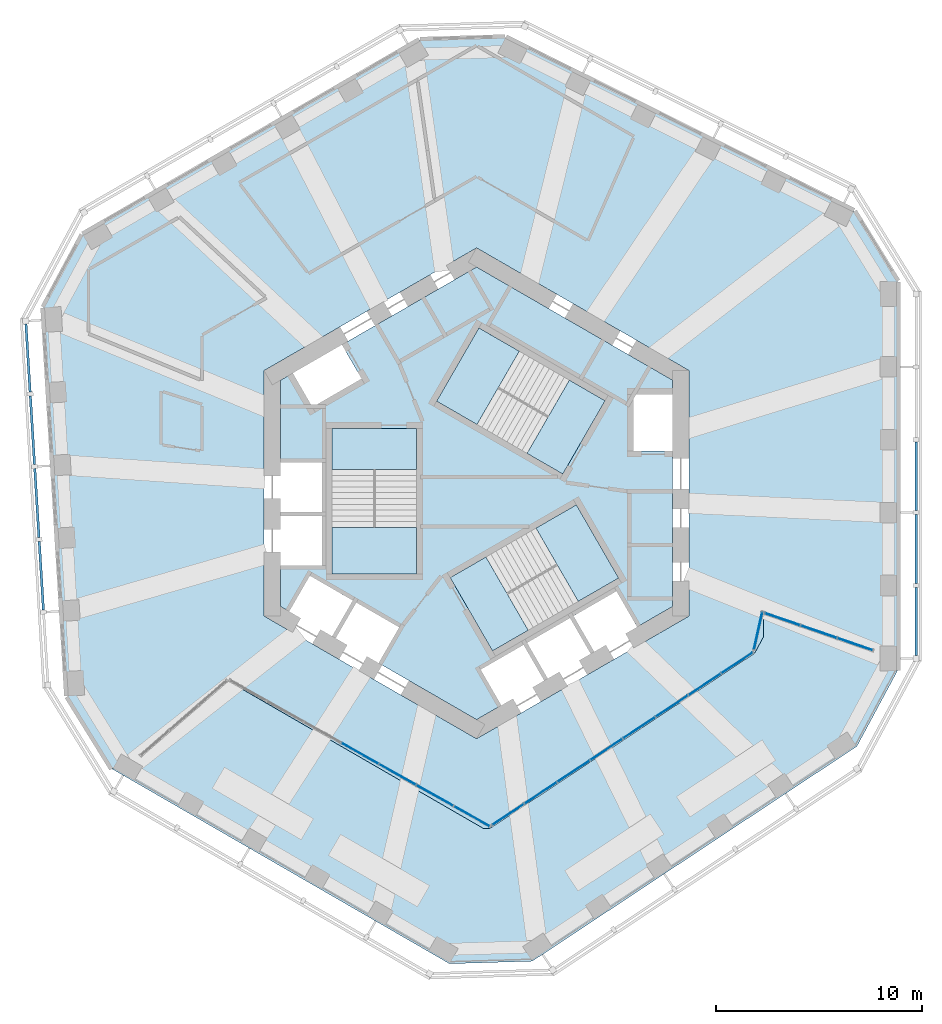
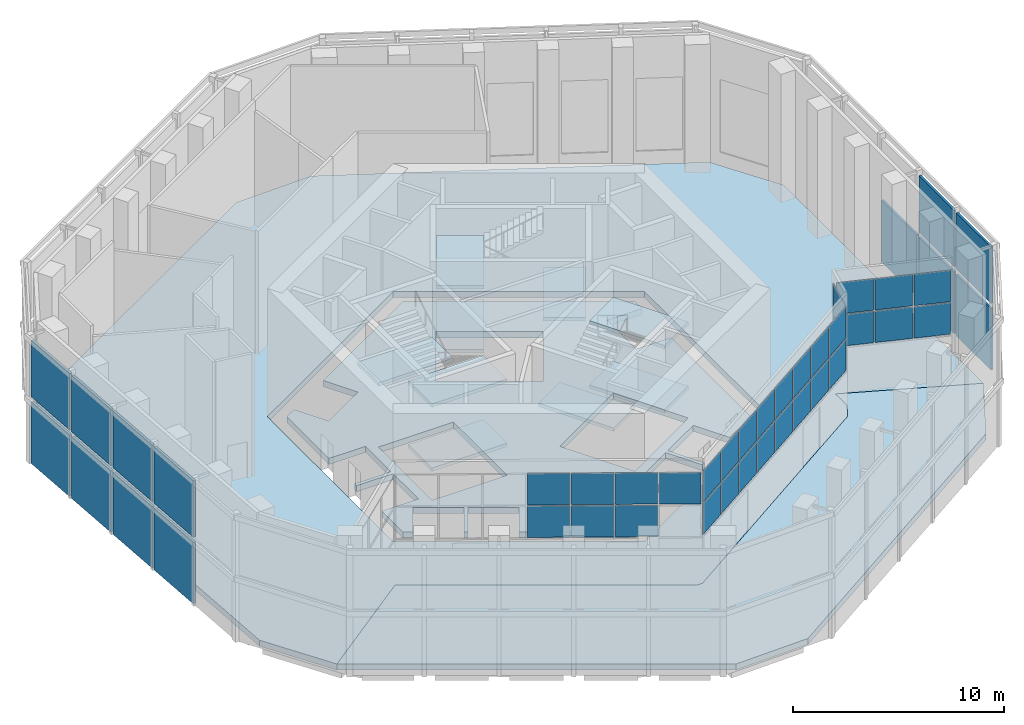
# One storey, part 7 of 17: 44 plates, 12 slabs, 9 elements without a shape of their own.
"""IFC4 building model written with IfcOpenShell, lengths in metres."""

from ifc_helpers import new_model, si_unit, direction, frame, origin, origin_2d, place, context, subcontext, project, spatial, polyline, rectangle, outline, extrude, material, layer, layer_set, type_object, element, aggregate, save


model = new_model("IFC4")

# Units and contexts
model_context = context("Model", 3, precision=1e-05, world=origin(), true_north=direction((0.0, 1.0)))
body_context = subcontext(model_context, "Body", "Model", "MODEL_VIEW")
ifc_project = project(units=[si_unit("LENGTHUNIT", "METRE"), si_unit("AREAUNIT", "SQUARE_METRE"), si_unit("VOLUMEUNIT", "CUBIC_METRE"), si_unit("PLANEANGLEUNIT", "RADIAN"), si_unit("MASSUNIT", "GRAM", prefix="KILO")], contexts=[model_context])

# Site, building, storey
site_placement = place(None, origin())
site = spatial("IfcSite", under=ifc_project, at=site_placement, CompositionType="ELEMENT")
building_placement = place(site_placement, origin())
building = spatial("IfcBuilding", under=site, at=building_placement, Name="Vanh Sen Convention Tower", CompositionType="ELEMENT")
storey_placement = place(building_placement, frame((0.0, 0.0, 214.300048828125)))
storey = spatial("IfcBuildingStorey", under=building, at=storey_placement, Name="L53", CompositionType="ELEMENT", Elevation=214.300048828125)

# Slabs
ifc_material_1 = material(Name="Concrete C40/50", Category="concrete")
ifc_layer_1 = layer(ifc_material_1, 0.35009765625)
ifc_layer_set_1 = layer_set([ifc_layer_1], Name="Concrete C40/50")
slab_type_1 = type_object("IfcSlabType", Name="Core slab 350", PredefinedType="FLOOR", material=ifc_layer_set_1)
slab_1_placement = place(storey_placement, frame((0.0, 0.0, -0.35009765625)))
element("IfcSlab", 1, at=slab_1_placement, inside=storey, type_object=slab_type_1, Name="Core slab L53", PredefinedType="FLOOR", context=body_context, shape_type="SweptSolid", body=[
    extrude(outline(polyline([(0.0, 10.9697265625), (9.5, 5.48486328125), (9.5, 4.800048828125), (7.60009765625, 4.800048828125), (7.60009765625, 2.050048828125), (9.5, 2.050048828125), (9.5, -5.48486328125), (7.781005859375, -6.477294921875), (6.781005859375, -4.7451171875), (4.70263671875, -5.9453125), (5.70263671875, -7.67724609375), (5.529296875, -7.777099609375), (4.529296875, -6.045166015625), (2.450927734375, -7.2451171875), (3.450927734375, -8.977294921875), (3.27783203125, -9.0771484375), (2.27783203125, -7.34521484375), (0.19921875, -8.545166015625), (1.19921875, -10.277099609375), (0.0, -10.9697265625), (-4.75, -8.227294921875), (-3.75, -6.4951171875), (-5.82861328125, -5.295166015625), (-6.82861328125, -7.027099609375), (-7.001708984375, -6.92724609375), (-6.001708984375, -5.1953125), (-8.080078125, -3.9951171875), (-9.080078125, -5.727294921875), (-9.5, -5.48486328125), (-9.5, -3.5), (-7.5, -3.5), (-7.5, -1.10009765625), (-9.5, -1.10009765625), (-9.5, -0.89990234375), (-7.5, -0.89990234375), (-7.5, 1.5), (-9.5, 1.5), (-9.5, 5.48486328125), (-8.906982421875, 5.8271484375), (-7.956787109375, 4.181884765625), (-5.575439453125, 5.556884765625), (-6.525390625, 7.2021484375), (0.0, 10.9697265625)]), holes=[polyline([(-7.0, 1.1494140625), (-7.0, -3.909912109375), (-2.89990234375, -3.909912109375), (-2.89990234375, 1.1494140625), (-7.0, 1.1494140625)]), polyline([(2.504638671875, -6.63671875), (6.88623046875, -4.107177734375), (4.836181640625, -0.556396484375), (0.45458984375, -3.086181640625), (2.504638671875, -6.63671875)]), polyline([(0.11376953125, 8.01708984375), (-1.936279296875, 4.466552734375), (2.4453125, 1.936767578125), (4.495361328125, 5.487548828125), (0.11376953125, 8.01708984375)])]), origin(), (0.0, 0.0, 1.0), 0.35009765625),
])
ifc_layer_2 = layer(ifc_material_1, 0.35009765625)
ifc_layer_set_2 = layer_set([ifc_layer_2], Name="Concrete C40/50")
slab_type_2 = type_object("IfcSlabType", Name="Floor slab 350 REI 120", PredefinedType="FLOOR", material=ifc_layer_set_2)
slab_2_placement = place(storey_placement, frame((0.0, 0.0, -0.35009765625)))
element("IfcSlab", 2, at=slab_2_placement, inside=storey, type_object=slab_type_2, Name="Floor slab L53 interior", PredefinedType="FLOOR", context=body_context, shape_type="SweptSolid", body=[
    extrude(outline(polyline([(-17.650146484375, -13.365478515625), (-1.309814453125, -22.799560546875), (-17.650146484375, -13.365478515625), (-12.0263671875, -9.10693359375), (0.339111328125, -16.24609375), (0.6533203125, -16.236572265625), (13.481689453125, -7.74560546875), (13.89990234375, -6.967041015625), (13.89990234375, -5.86181640625), (20.39990234375, -8.602783203125), (20.39990234375, 10.265380859375), (18.289306640625, 13.67626953125), (1.403564453125, 22.09521484375), (-2.749755859375, 21.96826171875), (-19.090087890625, 12.5341796875), (-20.988525390625, 9.000732421875), (-19.8369140625, -9.83203125), (-17.650146484375, -13.365478515625)]), holes=[polyline([(0.0, 11.893310546875), (-10.300048828125, 5.94677734375), (-10.300048828125, -5.94677734375), (0.0, -11.893310546875), (10.300048828125, -5.94677734375), (10.300048828125, 5.94677734375), (0.0, 11.893310546875)])]), origin(), (0.0, 0.0, 1.0), 0.35009765625),
])

# Curtain wall, plates
ifc_material_2 = material(Name="Aluminium structural glazing system", Category="aluminium")
curtain_wall_type_1 = type_object("IfcCurtainWallType", Name="Sky garden structural glazing", PredefinedType="NOTDEFINED", material=ifc_material_2)
curtain_wall_1_placement = place(storey_placement, origin())
curtain_wall_1 = element("IfcCurtainWall", 3, at=curtain_wall_1_placement, inside=storey, type_object=curtain_wall_type_1, Name="Winter garden glazing 1 L53", PredefinedType="NOTDEFINED")
ifc_material_3 = material(Name="Clear toughened safety glass", Category="glass")
ifc_layer_3 = layer(ifc_material_3, 0.035888671875)
ifc_layer_set_3 = layer_set([ifc_layer_3], Name="Clear toughened safety glass")
plate_type_1 = type_object("IfcPlateType", Name="Garden glazing clear glass panel 36", PredefinedType="CURTAIN_PANEL", material=ifc_layer_set_3)
plate_1_placement = place(storey_placement, frame((18.340087890625, -7.31201171875, 2.669921875), z_axis=(0.0, 0.0, 1.0), x_axis=(-0.945473546276, 0.325698899742, 0.0)))
plate_1 = element("IfcPlate", 4, at=plate_1_placement, type_object=plate_type_1, Name="CW5 panel 1.1", PredefinedType="CURTAIN_PANEL", context=body_context, shape_type="SweptSolid", body=[
    extrude(rectangle(XDim=1.76806640625, YDim=0.035888671875, at=origin_2d()), origin(), (0.0, 0.0, 1.0), 1.804931640625),
])
plate_2_placement = place(storey_placement, frame((18.340087890625, -7.31201171875, 4.544921875), z_axis=(0.0, 0.0, 1.0), x_axis=(-0.945473546276, 0.325698899742, 0.0)))
plate_2 = element("IfcPlate", 5, at=plate_2_placement, type_object=plate_type_1, Name="CW5 panel 1.2", PredefinedType="CURTAIN_PANEL", context=body_context, shape_type="SweptSolid", body=[
    extrude(rectangle(XDim=1.76806640625, YDim=0.035888671875, at=origin_2d()), origin(), (0.0, 0.0, 1.0), 1.804931640625),
])
plate_3_placement = place(storey_placement, frame((16.58544921875, -6.707763671875, 2.669921875), z_axis=(0.0, 0.0, 1.0), x_axis=(-0.945473546276, 0.325698899742, 0.0)))
plate_3 = element("IfcPlate", 6, at=plate_3_placement, type_object=plate_type_1, Name="CW5 panel 2.1", PredefinedType="CURTAIN_PANEL", context=body_context, shape_type="SweptSolid", body=[
    extrude(rectangle(XDim=1.802978515625, YDim=0.035888671875, at=origin_2d()), origin(), (0.0, 0.0, 1.0), 1.804931640625),
])
plate_4_placement = place(storey_placement, frame((16.58544921875, -6.707763671875, 4.544921875), z_axis=(0.0, 0.0, 1.0), x_axis=(-0.945473546276, 0.325698899742, 0.0)))
plate_4 = element("IfcPlate", 7, at=plate_4_placement, type_object=plate_type_1, Name="CW5 panel 2.2", PredefinedType="CURTAIN_PANEL", context=body_context, shape_type="SweptSolid", body=[
    extrude(rectangle(XDim=1.802978515625, YDim=0.035888671875, at=origin_2d()), origin(), (0.0, 0.0, 1.0), 1.804931640625),
])
plate_5_placement = place(storey_placement, frame((14.8310546875, -6.103271484375, 2.669921875), z_axis=(0.0, 0.0, 1.0), x_axis=(-0.945473546276, 0.325698899742, 0.0)))
plate_5 = element("IfcPlate", 8, at=plate_5_placement, type_object=plate_type_1, Name="CW5 panel 3.1", PredefinedType="CURTAIN_PANEL", context=body_context, shape_type="SweptSolid", body=[
    extrude(rectangle(XDim=1.76806640625, YDim=0.035888671875, at=origin_2d()), origin(), (0.0, 0.0, 1.0), 1.804931640625),
])
plate_6_placement = place(storey_placement, frame((14.8310546875, -6.103271484375, 4.544921875), z_axis=(0.0, 0.0, 1.0), x_axis=(-0.945473546276, 0.325698899742, 0.0)))
plate_6 = element("IfcPlate", 9, at=plate_6_placement, type_object=plate_type_1, Name="CW5 panel 3.2", PredefinedType="CURTAIN_PANEL", context=body_context, shape_type="SweptSolid", body=[
    extrude(rectangle(XDim=1.76806640625, YDim=0.035888671875, at=origin_2d()), origin(), (0.0, 0.0, 1.0), 1.804931640625),
])
aggregate(curtain_wall_1, [plate_1, plate_2, plate_3, plate_4, plate_5, plate_6])

curtain_wall_2_placement = place(storey_placement, origin())
curtain_wall_2 = element("IfcCurtainWall", 10, at=curtain_wall_2_placement, inside=storey, type_object=curtain_wall_type_1, Name="Winter garden glazing 2 L53", PredefinedType="NOTDEFINED")
plate_7_placement = place(storey_placement, frame((13.645263671875, -6.662841796875, 2.669921875), z_axis=(0.0, 0.0, 1.0), x_axis=(-0.216774971138, -0.976221599786, 0.0)))
plate_7 = element("IfcPlate", 11, at=plate_7_placement, type_object=plate_type_1, Name="CW5 panel 1.1", PredefinedType="CURTAIN_PANEL", context=body_context, shape_type="SweptSolid", body=[
    extrude(rectangle(XDim=1.8349609375, YDim=0.035888671875, at=origin_2d()), origin(), (0.0, 0.0, 1.0), 1.804931640625),
])
plate_8_placement = place(storey_placement, frame((13.645263671875, -6.662841796875, 4.544921875), z_axis=(0.0, 0.0, 1.0), x_axis=(-0.216774971138, -0.976221599786, 0.0)))
plate_8 = element("IfcPlate", 12, at=plate_8_placement, type_object=plate_type_1, Name="CW5 panel 1.2", PredefinedType="CURTAIN_PANEL", context=body_context, shape_type="SweptSolid", body=[
    extrude(rectangle(XDim=1.8349609375, YDim=0.035888671875, at=origin_2d()), origin(), (0.0, 0.0, 1.0), 1.804931640625),
])
aggregate(curtain_wall_2, [plate_7, plate_8])

curtain_wall_3_placement = place(storey_placement, origin())
curtain_wall_3 = element("IfcCurtainWall", 13, at=curtain_wall_3_placement, inside=storey, type_object=curtain_wall_type_1, Name="Winter garden glazing 3 L53", PredefinedType="NOTDEFINED")
plate_9_placement = place(storey_placement, frame((12.630859375, -8.218994140625, 2.669921875), z_axis=(0.0, 0.0, 1.0), x_axis=(-0.833888973721, -0.551932223653, 0.0)))
plate_9 = element("IfcPlate", 14, at=plate_9_placement, type_object=plate_type_1, Name="CW5 panel 1.1", PredefinedType="CURTAIN_PANEL", context=body_context, shape_type="SweptSolid", body=[
    extrude(rectangle(XDim=1.801025390625, YDim=0.035888671875, at=origin_2d()), origin(), (0.0, 0.0, 1.0), 1.804931640625),
])
plate_10_placement = place(storey_placement, frame((12.630859375, -8.218994140625, 4.544921875), z_axis=(0.0, 0.0, 1.0), x_axis=(-0.833888973721, -0.551932223653, 0.0)))
plate_10 = element("IfcPlate", 15, at=plate_10_placement, type_object=plate_type_1, Name="CW5 panel 1.2", PredefinedType="CURTAIN_PANEL", context=body_context, shape_type="SweptSolid", body=[
    extrude(rectangle(XDim=1.801025390625, YDim=0.035888671875, at=origin_2d()), origin(), (0.0, 0.0, 1.0), 1.804931640625),
])
plate_11_placement = place(storey_placement, frame((11.05615234375, -9.26123046875, 2.669921875), z_axis=(0.0, 0.0, 1.0), x_axis=(-0.833888973721, -0.551932223653, 0.0)))
plate_11 = element("IfcPlate", 16, at=plate_11_placement, type_object=plate_type_1, Name="CW5 panel 2.1", PredefinedType="CURTAIN_PANEL", context=body_context, shape_type="SweptSolid", body=[
    extrude(rectangle(XDim=1.836181640625, YDim=0.035888671875, at=origin_2d()), origin(), (0.0, 0.0, 1.0), 1.804931640625),
])
plate_12_placement = place(storey_placement, frame((11.05615234375, -9.26123046875, 4.544921875), z_axis=(0.0, 0.0, 1.0), x_axis=(-0.833888973721, -0.551932223653, 0.0)))
plate_12 = element("IfcPlate", 17, at=plate_12_placement, type_object=plate_type_1, Name="CW5 panel 2.2", PredefinedType="CURTAIN_PANEL", context=body_context, shape_type="SweptSolid", body=[
    extrude(rectangle(XDim=1.836181640625, YDim=0.035888671875, at=origin_2d()), origin(), (0.0, 0.0, 1.0), 1.804931640625),
])
plate_13_placement = place(storey_placement, frame((9.466552734375, -10.313232421875, 2.669921875), z_axis=(0.0, 0.0, 1.0), x_axis=(-0.833888973721, -0.551932223653, 0.0)))
plate_13 = element("IfcPlate", 18, at=plate_13_placement, type_object=plate_type_1, Name="CW5 panel 3.1", PredefinedType="CURTAIN_PANEL", context=body_context, shape_type="SweptSolid", body=[
    extrude(rectangle(XDim=1.836181640625, YDim=0.035888671875, at=origin_2d()), origin(), (0.0, 0.0, 1.0), 1.804931640625),
])
plate_14_placement = place(storey_placement, frame((9.466552734375, -10.313232421875, 4.544921875), z_axis=(0.0, 0.0, 1.0), x_axis=(-0.833888973721, -0.551932223653, 0.0)))
plate_14 = element("IfcPlate", 19, at=plate_14_placement, type_object=plate_type_1, Name="CW5 panel 3.2", PredefinedType="CURTAIN_PANEL", context=body_context, shape_type="SweptSolid", body=[
    extrude(rectangle(XDim=1.836181640625, YDim=0.035888671875, at=origin_2d()), origin(), (0.0, 0.0, 1.0), 1.804931640625),
])
plate_15_placement = place(storey_placement, frame((7.877197265625, -11.365234375, 2.669921875), z_axis=(0.0, 0.0, 1.0), x_axis=(-0.833888973721, -0.551932223653, 0.0)))
plate_15 = element("IfcPlate", 20, at=plate_15_placement, type_object=plate_type_1, Name="CW5 panel 4.1", PredefinedType="CURTAIN_PANEL", context=body_context, shape_type="SweptSolid", body=[
    extrude(rectangle(XDim=1.836181640625, YDim=0.035888671875, at=origin_2d()), origin(), (0.0, 0.0, 1.0), 1.804931640625),
])
plate_16_placement = place(storey_placement, frame((7.877197265625, -11.365234375, 4.544921875), z_axis=(0.0, 0.0, 1.0), x_axis=(-0.833888973721, -0.551932223653, 0.0)))
plate_16 = element("IfcPlate", 21, at=plate_16_placement, type_object=plate_type_1, Name="CW5 panel 4.2", PredefinedType="CURTAIN_PANEL", context=body_context, shape_type="SweptSolid", body=[
    extrude(rectangle(XDim=1.836181640625, YDim=0.035888671875, at=origin_2d()), origin(), (0.0, 0.0, 1.0), 1.804931640625),
])
plate_17_placement = place(storey_placement, frame((6.28759765625, -12.41748046875, 2.669921875), z_axis=(0.0, 0.0, 1.0), x_axis=(-0.833888973721, -0.551932223653, 0.0)))
plate_17 = element("IfcPlate", 22, at=plate_17_placement, type_object=plate_type_1, Name="CW5 panel 5.1", PredefinedType="CURTAIN_PANEL", context=body_context, shape_type="SweptSolid", body=[
    extrude(rectangle(XDim=1.836181640625, YDim=0.035888671875, at=origin_2d()), origin(), (0.0, 0.0, 1.0), 1.804931640625),
])
plate_18_placement = place(storey_placement, frame((6.28759765625, -12.41748046875, 4.544921875), z_axis=(0.0, 0.0, 1.0), x_axis=(-0.833888973721, -0.551932223653, 0.0)))
plate_18 = element("IfcPlate", 23, at=plate_18_placement, type_object=plate_type_1, Name="CW5 panel 5.2", PredefinedType="CURTAIN_PANEL", context=body_context, shape_type="SweptSolid", body=[
    extrude(rectangle(XDim=1.836181640625, YDim=0.035888671875, at=origin_2d()), origin(), (0.0, 0.0, 1.0), 1.804931640625),
])
plate_19_placement = place(storey_placement, frame((4.6982421875, -13.469482421875, 2.669921875), z_axis=(0.0, 0.0, 1.0), x_axis=(-0.833888973721, -0.551932223653, 0.0)))
plate_19 = element("IfcPlate", 24, at=plate_19_placement, type_object=plate_type_1, Name="CW5 panel 6.1", PredefinedType="CURTAIN_PANEL", context=body_context, shape_type="SweptSolid", body=[
    extrude(rectangle(XDim=1.836181640625, YDim=0.035888671875, at=origin_2d()), origin(), (0.0, 0.0, 1.0), 1.804931640625),
])
plate_20_placement = place(storey_placement, frame((4.6982421875, -13.469482421875, 4.544921875), z_axis=(0.0, 0.0, 1.0), x_axis=(-0.833888973721, -0.551932223653, 0.0)))
plate_20 = element("IfcPlate", 25, at=plate_20_placement, type_object=plate_type_1, Name="CW5 panel 6.2", PredefinedType="CURTAIN_PANEL", context=body_context, shape_type="SweptSolid", body=[
    extrude(rectangle(XDim=1.836181640625, YDim=0.035888671875, at=origin_2d()), origin(), (0.0, 0.0, 1.0), 1.804931640625),
])
plate_21_placement = place(storey_placement, frame((3.108642578125, -14.521484375, 2.669921875), z_axis=(0.0, 0.0, 1.0), x_axis=(-0.833888973721, -0.551932223653, 0.0)))
plate_21 = element("IfcPlate", 26, at=plate_21_placement, type_object=plate_type_1, Name="CW5 panel 7.1", PredefinedType="CURTAIN_PANEL", context=body_context, shape_type="SweptSolid", body=[
    extrude(rectangle(XDim=1.836181640625, YDim=0.035888671875, at=origin_2d()), origin(), (0.0, 0.0, 1.0), 1.804931640625),
])
plate_22_placement = place(storey_placement, frame((3.108642578125, -14.521484375, 4.544921875), z_axis=(0.0, 0.0, 1.0), x_axis=(-0.833888973721, -0.551932223653, 0.0)))
plate_22 = element("IfcPlate", 27, at=plate_22_placement, type_object=plate_type_1, Name="CW5 panel 7.2", PredefinedType="CURTAIN_PANEL", context=body_context, shape_type="SweptSolid", body=[
    extrude(rectangle(XDim=1.836181640625, YDim=0.035888671875, at=origin_2d()), origin(), (0.0, 0.0, 1.0), 1.804931640625),
])
plate_23_placement = place(storey_placement, frame((1.533935546875, -15.563720703125, 2.669921875), z_axis=(0.0, 0.0, 1.0), x_axis=(-0.833888973721, -0.551932223653, 0.0)))
plate_23 = element("IfcPlate", 28, at=plate_23_placement, type_object=plate_type_1, Name="CW5 panel 8.1", PredefinedType="CURTAIN_PANEL", context=body_context, shape_type="SweptSolid", body=[
    extrude(rectangle(XDim=1.801025390625, YDim=0.035888671875, at=origin_2d()), origin(), (0.0, 0.0, 1.0), 1.804931640625),
])
plate_24_placement = place(storey_placement, frame((1.533935546875, -15.563720703125, 4.544921875), z_axis=(0.0, 0.0, 1.0), x_axis=(-0.833888973721, -0.551932223653, 0.0)))
plate_24 = element("IfcPlate", 29, at=plate_24_placement, type_object=plate_type_1, Name="CW5 panel 8.2", PredefinedType="CURTAIN_PANEL", context=body_context, shape_type="SweptSolid", body=[
    extrude(rectangle(XDim=1.801025390625, YDim=0.035888671875, at=origin_2d()), origin(), (0.0, 0.0, 1.0), 1.804931640625),
])
aggregate(curtain_wall_3, [plate_9, plate_10, plate_11, plate_12, plate_13, plate_14, plate_15, plate_16, plate_17, plate_18, plate_19, plate_20, plate_21, plate_22, plate_23, plate_24])

curtain_wall_4_placement = place(storey_placement, origin())
curtain_wall_4 = element("IfcCurtainWall", 30, at=curtain_wall_4_placement, inside=storey, type_object=curtain_wall_type_1, Name="Winter garden glazing 4 L53", PredefinedType="NOTDEFINED")
plate_25_placement = place(storey_placement, frame((-0.231201171875, -15.653076171875, 4.544921875), z_axis=(0.0, 0.0, 1.0), x_axis=(-0.871654992426, 0.490119958968, 0.0)))
plate_25 = element("IfcPlate", 31, at=plate_25_placement, type_object=plate_type_1, Name="CW5 panel 1.2", PredefinedType="CURTAIN_PANEL", context=body_context, shape_type="SweptSolid", body=[
    extrude(rectangle(XDim=1.973876953125, YDim=0.035888671875, at=origin_2d()), origin(), (0.0, 0.0, 1.0), 1.804931640625),
])
plate_26_placement = place(storey_placement, frame((-2.02783203125, -14.642822265625, 2.669921875), z_axis=(0.0, 0.0, 1.0), x_axis=(-0.871654992426, 0.490119958968, 0.0)))
plate_26 = element("IfcPlate", 32, at=plate_26_placement, type_object=plate_type_1, Name="CW5 panel 2.1", PredefinedType="CURTAIN_PANEL", context=body_context, shape_type="SweptSolid", body=[
    extrude(rectangle(XDim=2.0087890625, YDim=0.035888671875, at=origin_2d()), origin(), (0.0, 0.0, 1.0), 1.804931640625),
])
plate_27_placement = place(storey_placement, frame((-2.02783203125, -14.642822265625, 4.544921875), z_axis=(0.0, 0.0, 1.0), x_axis=(-0.871654992426, 0.490119958968, 0.0)))
plate_27 = element("IfcPlate", 33, at=plate_27_placement, type_object=plate_type_1, Name="CW5 panel 2.2", PredefinedType="CURTAIN_PANEL", context=body_context, shape_type="SweptSolid", body=[
    extrude(rectangle(XDim=2.0087890625, YDim=0.035888671875, at=origin_2d()), origin(), (0.0, 0.0, 1.0), 1.804931640625),
])
plate_28_placement = place(storey_placement, frame((-3.83984375, -13.6240234375, 2.669921875), z_axis=(0.0, 0.0, 1.0), x_axis=(-0.871654992426, 0.490119958968, 0.0)))
plate_28 = element("IfcPlate", 34, at=plate_28_placement, type_object=plate_type_1, Name="CW5 panel 3.1", PredefinedType="CURTAIN_PANEL", context=body_context, shape_type="SweptSolid", body=[
    extrude(rectangle(XDim=2.0087890625, YDim=0.035888671875, at=origin_2d()), origin(), (0.0, 0.0, 1.0), 1.804931640625),
])
plate_29_placement = place(storey_placement, frame((-3.83984375, -13.6240234375, 4.544921875), z_axis=(0.0, 0.0, 1.0), x_axis=(-0.871654992426, 0.490119958968, 0.0)))
plate_29 = element("IfcPlate", 35, at=plate_29_placement, type_object=plate_type_1, Name="CW5 panel 3.2", PredefinedType="CURTAIN_PANEL", context=body_context, shape_type="SweptSolid", body=[
    extrude(rectangle(XDim=2.0087890625, YDim=0.035888671875, at=origin_2d()), origin(), (0.0, 0.0, 1.0), 1.804931640625),
])
plate_30_placement = place(storey_placement, frame((-5.65185546875, -12.605224609375, 2.669921875), z_axis=(0.0, 0.0, 1.0), x_axis=(-0.871654992426, 0.490119958968, 0.0)))
plate_30 = element("IfcPlate", 36, at=plate_30_placement, type_object=plate_type_1, Name="CW5 panel 4.1", PredefinedType="CURTAIN_PANEL", context=body_context, shape_type="SweptSolid", body=[
    extrude(rectangle(XDim=2.0087890625, YDim=0.035888671875, at=origin_2d()), origin(), (0.0, 0.0, 1.0), 1.804931640625),
])
plate_31_placement = place(storey_placement, frame((-5.65185546875, -12.605224609375, 4.544921875), z_axis=(0.0, 0.0, 1.0), x_axis=(-0.871654992426, 0.490119958968, 0.0)))
plate_31 = element("IfcPlate", 37, at=plate_31_placement, type_object=plate_type_1, Name="CW5 panel 4.2", PredefinedType="CURTAIN_PANEL", context=body_context, shape_type="SweptSolid", body=[
    extrude(rectangle(XDim=2.0087890625, YDim=0.035888671875, at=origin_2d()), origin(), (0.0, 0.0, 1.0), 1.804931640625),
])
aggregate(curtain_wall_4, [plate_25, plate_26, plate_27, plate_28, plate_29, plate_30, plate_31])

ifc_material_4 = material(Name="Concrete C50/60", Category="concrete")
curtain_wall_type_2 = type_object("IfcCurtainWallType", Name="Outer skin office zone", PredefinedType="NOTDEFINED", material=ifc_material_4)
curtain_wall_5_placement = place(storey_placement, origin())
curtain_wall_5 = element("IfcCurtainWall", 38, at=curtain_wall_5_placement, inside=storey, type_object=curtain_wall_type_2, Name="OUTER SKIN E L53", PredefinedType="NOTDEFINED")
ifc_layer_4 = layer(ifc_material_4, 0.1201171875)
ifc_layer_set_4 = layer_set([ifc_layer_4], Name="Concrete C50/60")
plate_type_2 = type_object("IfcPlateType", Name="Outer skin precast screen panel 120", PredefinedType="CURTAIN_PANEL", material=ifc_layer_set_4)
plate_32_placement = place(storey_placement, frame((21.300048828125, -6.2109375, 0.0), z_axis=(0.0, 0.0, 1.0), x_axis=(0.0, 1.0, 0.0)))
plate_32 = element("IfcPlate", 39, at=plate_32_placement, type_object=plate_type_2, Name="OUTER SKIN screen panel E-1", PredefinedType="CURTAIN_PANEL", context=body_context, shape_type="SweptSolid", body=[
    extrude(rectangle(XDim=3.28369140625, YDim=0.1201171875, at=origin_2d()), origin(), (0.0, 0.0, 1.0), 3.550048828125),
])
plate_33_placement = place(storey_placement, frame((21.300048828125, -6.2109375, 3.849853515625), z_axis=(0.0, 0.0, 1.0), x_axis=(0.0, 1.0, 0.0)))
plate_33 = element("IfcPlate", 40, at=plate_33_placement, type_object=plate_type_2, Name="OUTER SKIN screen panel E-1", PredefinedType="CURTAIN_PANEL", context=body_context, shape_type="SweptSolid", body=[
    extrude(rectangle(XDim=3.28369140625, YDim=0.1201171875, at=origin_2d()), origin(), (0.0, 0.0, 1.0), 3.25),
])
plate_34_placement = place(storey_placement, frame((21.300048828125, -2.702392578125, 0.0), z_axis=(0.0, 0.0, 1.0), x_axis=(0.0, 1.0, 0.0)))
plate_34 = element("IfcPlate", 41, at=plate_34_placement, type_object=plate_type_2, Name="OUTER SKIN screen panel E-2", PredefinedType="CURTAIN_PANEL", context=body_context, shape_type="SweptSolid", body=[
    extrude(rectangle(XDim=3.333740234375, YDim=0.1201171875, at=origin_2d()), origin(), (0.0, 0.0, 1.0), 3.550048828125),
])
plate_35_placement = place(storey_placement, frame((21.300048828125, -2.702392578125, 3.849853515625), z_axis=(0.0, 0.0, 1.0), x_axis=(0.0, 1.0, 0.0)))
plate_35 = element("IfcPlate", 42, at=plate_35_placement, type_object=plate_type_2, Name="OUTER SKIN screen panel E-2", PredefinedType="CURTAIN_PANEL", context=body_context, shape_type="SweptSolid", body=[
    extrude(rectangle(XDim=3.333740234375, YDim=0.1201171875, at=origin_2d()), origin(), (0.0, 0.0, 1.0), 3.25),
])
plate_36_placement = place(storey_placement, frame((21.300048828125, 0.831298828125, 0.0), z_axis=(0.0, 0.0, 1.0), x_axis=(0.0, 1.0, 0.0)))
plate_36 = element("IfcPlate", 43, at=plate_36_placement, type_object=plate_type_2, Name="OUTER SKIN screen panel E-3", PredefinedType="CURTAIN_PANEL", context=body_context, shape_type="SweptSolid", body=[
    extrude(rectangle(XDim=3.33349609375, YDim=0.1201171875, at=origin_2d()), origin(), (0.0, 0.0, 1.0), 3.550048828125),
])
aggregate(curtain_wall_5, [plate_32, plate_33, plate_34, plate_35, plate_36])

curtain_wall_6_placement = place(storey_placement, origin())
curtain_wall_6 = element("IfcCurtainWall", 44, at=curtain_wall_6_placement, inside=storey, type_object=curtain_wall_type_2, Name="OUTER SKIN W L53", PredefinedType="NOTDEFINED")
plate_37_placement = place(storey_placement, frame((-21.740966796875, 6.55859375, 0.0), z_axis=(0.0, 0.0, 1.0), x_axis=(0.061043313312, -0.998135118058, 0.0)))
plate_37 = element("IfcPlate", 45, at=plate_37_placement, type_object=plate_type_2, Name="OUTER SKIN screen panel W-1", PredefinedType="CURTAIN_PANEL", context=body_context, shape_type="SweptSolid", body=[
    extrude(rectangle(XDim=3.28369140625, YDim=0.1201171875, at=origin_2d()), origin(), (0.0, 0.0, 1.0), 3.550048828125),
])
plate_38_placement = place(storey_placement, frame((-21.740966796875, 6.55859375, 3.849853515625), z_axis=(0.0, 0.0, 1.0), x_axis=(0.061043313312, -0.998135118058, 0.0)))
plate_38 = element("IfcPlate", 46, at=plate_38_placement, type_object=plate_type_2, Name="OUTER SKIN screen panel W-1", PredefinedType="CURTAIN_PANEL", context=body_context, shape_type="SweptSolid", body=[
    extrude(rectangle(XDim=3.28369140625, YDim=0.1201171875, at=origin_2d()), origin(), (0.0, 0.0, 1.0), 3.25),
])
plate_39_placement = place(storey_placement, frame((-21.526611328125, 3.056396484375, 0.0), z_axis=(0.0, 0.0, 1.0), x_axis=(0.061041571238, -0.998135224597, 0.0)))
plate_39 = element("IfcPlate", 47, at=plate_39_placement, type_object=plate_type_2, Name="OUTER SKIN screen panel W-2", PredefinedType="CURTAIN_PANEL", context=body_context, shape_type="SweptSolid", body=[
    extrude(rectangle(XDim=3.333740234375, YDim=0.1201171875, at=origin_2d()), origin(), (0.0, 0.0, 1.0), 3.550048828125),
])
plate_40_placement = place(storey_placement, frame((-21.526611328125, 3.056396484375, 3.849853515625), z_axis=(0.0, 0.0, 1.0), x_axis=(0.061041571238, -0.998135224597, 0.0)))
plate_40 = element("IfcPlate", 48, at=plate_40_placement, type_object=plate_type_2, Name="OUTER SKIN screen panel W-2", PredefinedType="CURTAIN_PANEL", context=body_context, shape_type="SweptSolid", body=[
    extrude(rectangle(XDim=3.333740234375, YDim=0.1201171875, at=origin_2d()), origin(), (0.0, 0.0, 1.0), 3.25),
])
plate_41_placement = place(storey_placement, frame((-21.31103515625, -0.470703125, 0.0), z_axis=(0.0, 0.0, 1.0), x_axis=(0.061043313312, -0.998135118058, 0.0)))
plate_41 = element("IfcPlate", 49, at=plate_41_placement, type_object=plate_type_2, Name="OUTER SKIN screen panel W-3", PredefinedType="CURTAIN_PANEL", context=body_context, shape_type="SweptSolid", body=[
    extrude(rectangle(XDim=3.33349609375, YDim=0.1201171875, at=origin_2d()), origin(), (0.0, 0.0, 1.0), 3.550048828125),
])
plate_42_placement = place(storey_placement, frame((-21.31103515625, -0.470703125, 3.849853515625), z_axis=(0.0, 0.0, 1.0), x_axis=(0.061043313312, -0.998135118058, 0.0)))
plate_42 = element("IfcPlate", 50, at=plate_42_placement, type_object=plate_type_2, Name="OUTER SKIN screen panel W-3", PredefinedType="CURTAIN_PANEL", context=body_context, shape_type="SweptSolid", body=[
    extrude(rectangle(XDim=3.33349609375, YDim=0.1201171875, at=origin_2d()), origin(), (0.0, 0.0, 1.0), 3.25),
])
plate_43_placement = place(storey_placement, frame((-21.09521484375, -3.99755859375, 0.0), z_axis=(0.0, 0.0, 1.0), x_axis=(0.061043313312, -0.998135118058, 0.0)))
plate_43 = element("IfcPlate", 51, at=plate_43_placement, type_object=plate_type_2, Name="OUTER SKIN screen panel W-4", PredefinedType="CURTAIN_PANEL", context=body_context, shape_type="SweptSolid", body=[
    extrude(rectangle(XDim=3.33349609375, YDim=0.1201171875, at=origin_2d()), origin(), (0.0, 0.0, 1.0), 3.550048828125),
])
plate_44_placement = place(storey_placement, frame((-21.09521484375, -3.99755859375, 3.849853515625), z_axis=(0.0, 0.0, 1.0), x_axis=(0.061043313312, -0.998135118058, 0.0)))
plate_44 = element("IfcPlate", 52, at=plate_44_placement, type_object=plate_type_2, Name="OUTER SKIN screen panel W-4", PredefinedType="CURTAIN_PANEL", context=body_context, shape_type="SweptSolid", body=[
    extrude(rectangle(XDim=3.33349609375, YDim=0.1201171875, at=origin_2d()), origin(), (0.0, 0.0, 1.0), 3.25),
])
aggregate(curtain_wall_6, [plate_37, plate_38, plate_39, plate_40, plate_41, plate_42, plate_43, plate_44])

# Stair, slabs
ifc_material_5 = material(Name="Concrete C50/60", Category="concrete")
stair_type_1 = type_object("IfcStairType", Name="Exit stair ST1 44 risers at 168.2", PredefinedType="HALF_TURN_STAIR", material=ifc_material_5)
stair_1_placement = place(storey_placement, origin())
stair_1 = element("IfcStair", 53, at=stair_1_placement, inside=storey, type_object=stair_type_1, Name="Exit stair ST1 L53", PredefinedType="HALF_TURN_STAIR")
ifc_layer_5 = layer(ifc_material_1, 0.199951171875)
ifc_layer_set_5 = layer_set([ifc_layer_5], Name="Concrete C40/50")
slab_type_3 = type_object("IfcSlabType", Name="Stair landing 200", PredefinedType="LANDING", material=ifc_layer_set_5)
slab_3_placement = place(storey_placement, frame((0.0, 0.0, 1.64990234375)))
slab_3 = element("IfcSlab", 54, at=slab_3_placement, type_object=slab_type_3, Name="ST1 landing 1", PredefinedType="LANDING", context=body_context, shape_type="SweptSolid", body=[
    extrude(outline(polyline([(2.07177734375, 6.88671875), (0.11376953125, 8.01708984375), (-1.936279296875, 4.466552734375), (0.021728515625, 3.336181640625), (2.07177734375, 6.88671875)])), origin(), (0.0, 0.0, 1.0), 0.199951171875),
])
slab_4_placement = place(storey_placement, frame((0.0, 0.0, 3.5)))
slab_4 = element("IfcSlab", 55, at=slab_4_placement, type_object=slab_type_3, Name="ST1 landing 2", PredefinedType="LANDING", context=body_context, shape_type="SweptSolid", body=[
    extrude(outline(polyline([(6.22802734375, 4.4873046875), (4.495361328125, 5.487548828125), (2.4453125, 1.936767578125), (4.177978515625, 0.9365234375), (6.22802734375, 4.4873046875)])), origin(), (0.0, 0.0, 1.0), 0.199951171875),
])
slab_5_placement = place(storey_placement, frame((0.0, 0.0, 5.349853515625)))
slab_5 = element("IfcSlab", 56, at=slab_5_placement, type_object=slab_type_3, Name="ST1 landing 3", PredefinedType="LANDING", context=body_context, shape_type="SweptSolid", body=[
    extrude(outline(polyline([(2.07177734375, 6.88671875), (0.11376953125, 8.01708984375), (-1.936279296875, 4.466552734375), (0.021728515625, 3.336181640625), (2.07177734375, 6.88671875)])), origin(), (0.0, 0.0, 1.0), 0.2001953125),
])
aggregate(stair_1, [slab_3, slab_4, slab_5])

stair_type_2 = type_object("IfcStairType", Name="Exit stair ST2 44 risers at 168.2", PredefinedType="HALF_TURN_STAIR", material=ifc_material_5)
stair_2_placement = place(storey_placement, origin())
stair_2 = element("IfcStair", 57, at=stair_2_placement, inside=storey, type_object=stair_type_2, Name="Exit stair ST2 L53", PredefinedType="HALF_TURN_STAIR")
slab_6_placement = place(storey_placement, frame((0.0, 0.0, 1.64990234375)))
slab_6 = element("IfcSlab", 58, at=slab_6_placement, type_object=slab_type_3, Name="ST2 landing 1", PredefinedType="LANDING", context=body_context, shape_type="SweptSolid", body=[
    extrude(outline(polyline([(-7.0, -1.6494140625), (-7.0, -3.909912109375), (-2.89990234375, -3.909912109375), (-2.89990234375, -1.6494140625), (-7.0, -1.6494140625)])), origin(), (0.0, 0.0, 1.0), 0.199951171875),
])
slab_7_placement = place(storey_placement, frame((0.0, 0.0, 3.5)))
slab_7 = element("IfcSlab", 59, at=slab_7_placement, type_object=slab_type_3, Name="ST2 landing 2", PredefinedType="LANDING", context=body_context, shape_type="SweptSolid", body=[
    extrude(outline(polyline([(-7.0, 3.14990234375), (-7.0, 1.1494140625), (-2.89990234375, 1.1494140625), (-2.89990234375, 3.14990234375), (-7.0, 3.14990234375)])), origin(), (0.0, 0.0, 1.0), 0.199951171875),
])
slab_8_placement = place(storey_placement, frame((0.0, 0.0, 5.349853515625)))
slab_8 = element("IfcSlab", 60, at=slab_8_placement, type_object=slab_type_3, Name="ST2 landing 3", PredefinedType="LANDING", context=body_context, shape_type="SweptSolid", body=[
    extrude(outline(polyline([(-7.0, -1.6494140625), (-7.0, -3.909912109375), (-2.89990234375, -3.909912109375), (-2.89990234375, -1.6494140625), (-7.0, -1.6494140625)])), origin(), (0.0, 0.0, 1.0), 0.2001953125),
])
aggregate(stair_2, [slab_6, slab_7, slab_8])

stair_type_3 = type_object("IfcStairType", Name="Exit stair ST3 44 risers at 168.2", PredefinedType="HALF_TURN_STAIR", material=ifc_material_5)
stair_3_placement = place(storey_placement, origin())
stair_3 = element("IfcStair", 61, at=stair_3_placement, inside=storey, type_object=stair_type_3, Name="Exit stair ST3 L53", PredefinedType="HALF_TURN_STAIR")
slab_9_placement = place(storey_placement, frame((0.0, 0.0, 1.64990234375)))
slab_9 = element("IfcSlab", 62, at=slab_9_placement, type_object=slab_type_3, Name="ST3 landing 1", PredefinedType="LANDING", context=body_context, shape_type="SweptSolid", body=[
    extrude(outline(polyline([(4.92822265625, -5.237548828125), (6.88623046875, -4.107177734375), (4.836181640625, -0.556396484375), (2.87841796875, -1.686767578125), (4.92822265625, -5.237548828125)])), origin(), (0.0, 0.0, 1.0), 0.199951171875),
])
slab_10_placement = place(storey_placement, frame((0.0, 0.0, 3.5)))
slab_10 = element("IfcSlab", 63, at=slab_10_placement, type_object=slab_type_3, Name="ST3 landing 2", PredefinedType="LANDING", context=body_context, shape_type="SweptSolid", body=[
    extrude(outline(polyline([(0.77197265625, -7.63720703125), (2.504638671875, -6.63671875), (0.45458984375, -3.086181640625), (-1.278076171875, -4.08642578125), (0.77197265625, -7.63720703125)])), origin(), (0.0, 0.0, 1.0), 0.199951171875),
])
slab_11_placement = place(storey_placement, frame((0.0, 0.0, 5.349853515625)))
slab_11 = element("IfcSlab", 64, at=slab_11_placement, type_object=slab_type_3, Name="ST3 landing 3", PredefinedType="LANDING", context=body_context, shape_type="SweptSolid", body=[
    extrude(outline(polyline([(4.92822265625, -5.237548828125), (6.88623046875, -4.107177734375), (4.836181640625, -0.556396484375), (2.87841796875, -1.686767578125), (4.92822265625, -5.237548828125)])), origin(), (0.0, 0.0, 1.0), 0.2001953125),
])
aggregate(stair_3, [slab_9, slab_10, slab_11])

# Slab
ifc_layer_6 = layer(ifc_material_1, 0.35009765625)
ifc_layer_set_6 = layer_set([ifc_layer_6], Name="Concrete C40/50")
slab_type_4 = type_object("IfcSlabType", Name="Terrace slab 350 REI 120", PredefinedType="FLOOR", material=ifc_layer_set_6)
slab_12_placement = place(storey_placement, frame((0.0, 0.0, -0.35009765625)))
element("IfcSlab", 65, at=slab_12_placement, inside=storey, type_object=slab_type_4, Name="Sky garden terrace slab L53", PredefinedType="FLOOR", context=body_context, shape_type="SweptSolid", body=[
    extrude(outline(polyline([(18.433349609375, -12.26318359375), (20.39990234375, -8.602783203125), (13.89990234375, -5.86181640625), (13.89990234375, -6.967041015625), (13.481689453125, -7.74560546875), (0.6533203125, -16.236572265625), (0.339111328125, -16.24609375), (-12.0263671875, -9.10693359375), (-17.650146484375, -13.365478515625), (-1.309814453125, -22.799560546875), (2.699462890625, -22.677001953125), (18.433349609375, -12.26318359375)])), origin(), (0.0, 0.0, 1.0), 0.35009765625),
])

save(model, "model.ifc")
